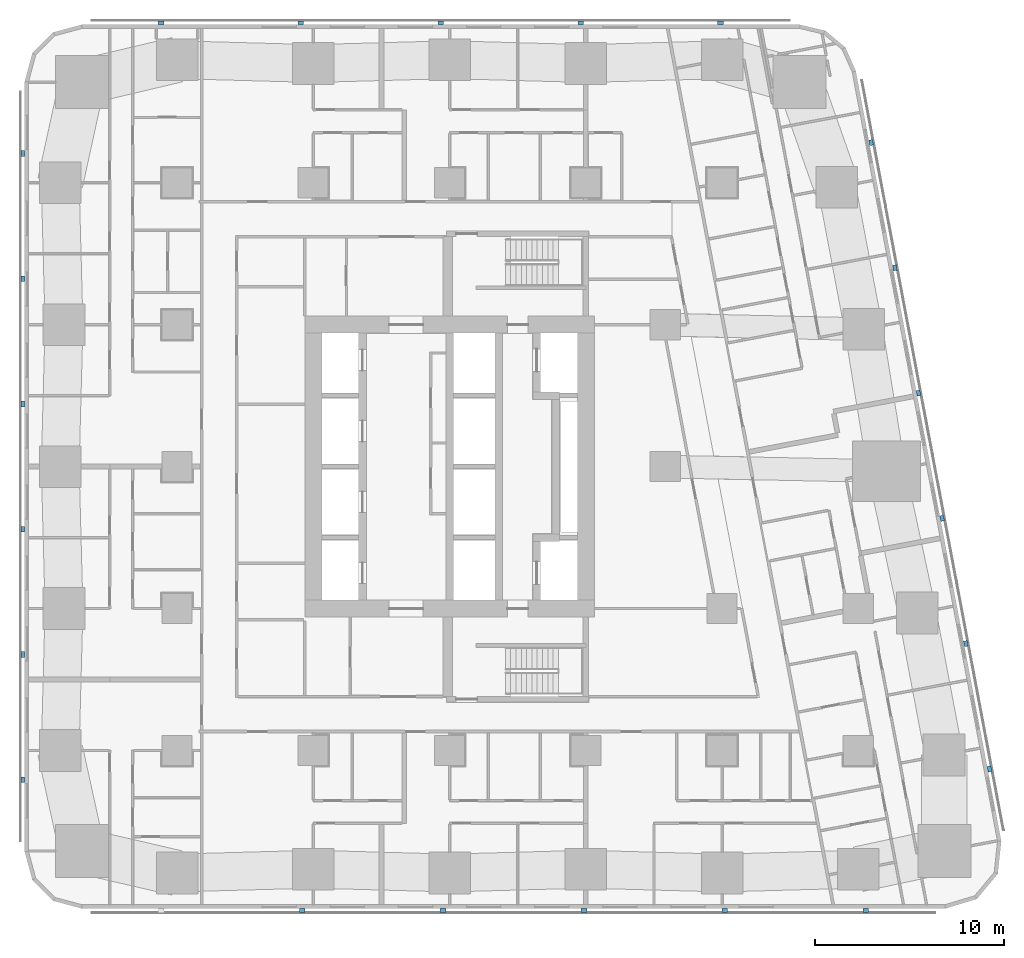
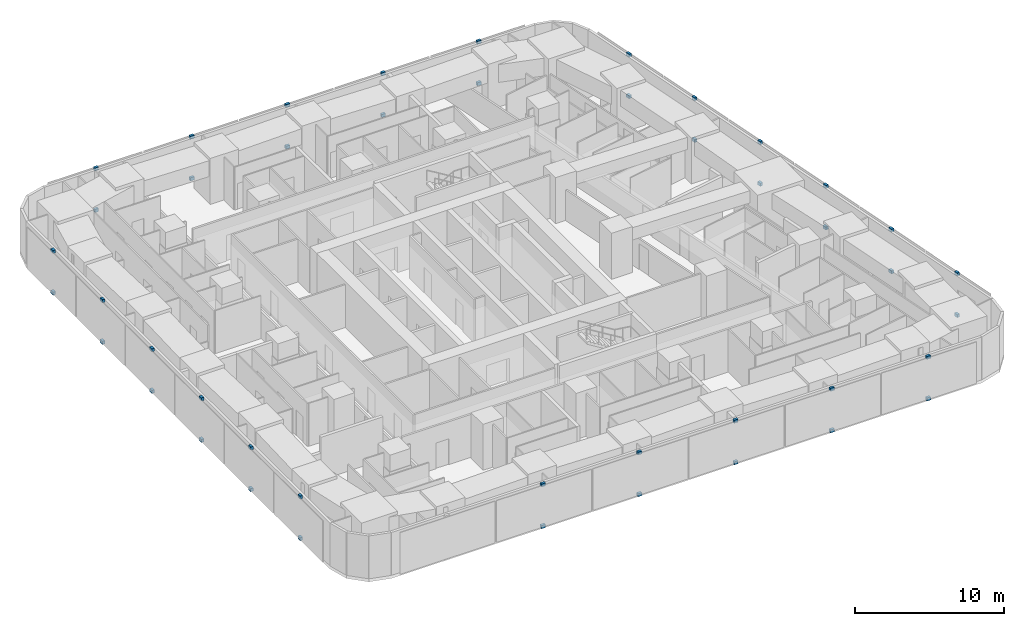
# One storey, part 13 of 17: 44 discrete accessories.
"""IFC4 building model written with IfcOpenShell, lengths in metres."""

from ifc_helpers import new_model, si_unit, direction, frame, origin, origin_2d, place, context, subcontext, project, spatial, rectangle, extrude, material, type_object, element, save


model = new_model("IFC4")

# Units and contexts
model_context = context("Model", 3, precision=1e-05, world=origin(), true_north=direction((0.0, 1.0)))
body_context = subcontext(model_context, "Body", "Model", "MODEL_VIEW")
ifc_project = project(units=[si_unit("LENGTHUNIT", "METRE"), si_unit("AREAUNIT", "SQUARE_METRE"), si_unit("VOLUMEUNIT", "CUBIC_METRE"), si_unit("PLANEANGLEUNIT", "RADIAN"), si_unit("MASSUNIT", "GRAM", prefix="KILO")], contexts=[model_context])

# Site, building, storey
site_placement = place(None, origin())
site = spatial("IfcSite", under=ifc_project, at=site_placement, CompositionType="ELEMENT")
building_placement = place(site_placement, origin())
building = spatial("IfcBuilding", under=site, at=building_placement, Name="Sheger Commons Tower", CompositionType="ELEMENT")
storey_placement = place(building_placement, frame((0.0, 0.0, 115.39990234375)))
storey = spatial("IfcBuildingStorey", under=building, at=storey_placement, Name="L29", CompositionType="ELEMENT", Elevation=115.39990234375)

# Discrete accessories
ifc_material = material(Name="Black painted steel bracket", Category="steel")
discrete_accessory_type = type_object("IfcDiscreteAccessoryType", Name="SCREEN BRACKET 300x200x250", PredefinedType="BRACKET", material=ifc_material)
for number, where, z_axis, x_axis, name in (
    (1, (13.81396484375, -0.949951171875, -0.099853515625), (0.0, 0.0, 1.0), (1.0, 0.0, 0.0), "Solar screen foot bracket"),
    (2, (13.81396484375, -0.949951171875, 3.300048828125), (0.0, 0.0, 1.0), (1.0, 0.0, 0.0), "Solar screen head bracket"),
    (3, (21.257080078125, -0.949951171875, -0.099853515625), (0.0, 0.0, 1.0), (1.0, 0.0, 0.0), "Solar screen foot bracket"),
    (4, (21.257080078125, -0.949951171875, 3.300048828125), (0.0, 0.0, 1.0), (1.0, 0.0, 0.0), "Solar screen head bracket"),
    (5, (28.698974609375, -0.949951171875, -0.099853515625), (0.0, 0.0, 1.0), (1.0, 0.0, 0.0), "Solar screen foot bracket"),
    (6, (28.698974609375, -0.949951171875, 3.300048828125), (0.0, 0.0, 1.0), (1.0, 0.0, 0.0), "Solar screen head bracket"),
    (7, (36.14208984375, -0.949951171875, -0.099853515625), (0.0, 0.0, 1.0), (1.0, 0.0, 0.0), "Solar screen foot bracket"),
    (8, (36.14208984375, -0.949951171875, 3.300048828125), (0.0, 0.0, 1.0), (1.0, 0.0, 0.0), "Solar screen head bracket"),
    (9, (43.5849609375, -0.949951171875, -0.099853515625), (0.0, 0.0, 1.0), (1.0, 0.0, 0.0), "Solar screen foot bracket"),
    (10, (43.5849609375, -0.949951171875, 3.300048828125), (0.0, 0.0, 1.0), (1.0, 0.0, 0.0), "Solar screen head bracket"),
    (11, (50.134033203125, 6.527099609375, -0.099853515625), (0.0, 0.0, 1.0), (-0.185615165645, 0.982622516678, 0.0), "Solar screen foot bracket"),
    (12, (50.134033203125, 6.527099609375, 3.300048828125), (0.0, 0.0, 1.0), (-0.185615165645, 0.982622516678, 0.0), "Solar screen head bracket"),
    (13, (48.884033203125, 13.14599609375, -0.099853515625), (0.0, 0.0, 1.0), (-0.185615165645, 0.982622516678, 0.0), "Solar screen foot bracket"),
    (14, (48.884033203125, 13.14599609375, 3.300048828125), (0.0, 0.0, 1.0), (-0.185615165645, 0.982622516678, 0.0), "Solar screen head bracket"),
    (15, (47.633056640625, 19.76611328125, -0.099853515625), (0.0, 0.0, 1.0), (-0.185615165645, 0.982622516678, 0.0), "Solar screen foot bracket"),
    (16, (47.633056640625, 19.76611328125, 3.300048828125), (0.0, 0.0, 1.0), (-0.185615165645, 0.982622516678, 0.0), "Solar screen head bracket"),
    (17, (46.383056640625, 26.385009765625, -0.099853515625), (0.0, 0.0, 1.0), (-0.185615165645, 0.982622516678, 0.0), "Solar screen foot bracket"),
    (18, (46.383056640625, 26.385009765625, 3.300048828125), (0.0, 0.0, 1.0), (-0.185615165645, 0.982622516678, 0.0), "Solar screen head bracket"),
    (19, (45.133056640625, 33.0048828125, -0.099853515625), (0.0, 0.0, 1.0), (-0.185615165645, 0.982622516678, 0.0), "Solar screen foot bracket"),
    (20, (45.133056640625, 33.0048828125, 3.300048828125), (0.0, 0.0, 1.0), (-0.185615165645, 0.982622516678, 0.0), "Solar screen head bracket"),
    (21, (43.882080078125, 39.6240234375, -0.099853515625), (0.0, 0.0, 1.0), (-0.185615165645, 0.982622516678, 0.0), "Solar screen foot bracket"),
    (22, (43.882080078125, 39.6240234375, 3.300048828125), (0.0, 0.0, 1.0), (-0.185615165645, 0.982622516678, 0.0), "Solar screen head bracket"),
    (23, (35.9208984375, 45.949951171875, -0.099853515625), (0.0, 0.0, 1.0), (-1.0, 0.0, 0.0), "Solar screen foot bracket"),
    (24, (35.9208984375, 45.949951171875, 3.300048828125), (0.0, 0.0, 1.0), (-1.0, 0.0, 0.0), "Solar screen head bracket"),
    (25, (28.528076171875, 45.949951171875, -0.099853515625), (0.0, 0.0, 1.0), (-1.0, 0.0, 0.0), "Solar screen foot bracket"),
    (26, (28.528076171875, 45.949951171875, 3.300048828125), (0.0, 0.0, 1.0), (-1.0, 0.0, 0.0), "Solar screen head bracket"),
    (27, (21.134033203125, 45.949951171875, -0.099853515625), (0.0, 0.0, 1.0), (-1.0, 0.0, 0.0), "Solar screen foot bracket"),
    (28, (21.134033203125, 45.949951171875, 3.300048828125), (0.0, 0.0, 1.0), (-1.0, 0.0, 0.0), "Solar screen head bracket"),
    (29, (13.739990234375, 45.949951171875, -0.099853515625), (0.0, 0.0, 1.0), (-1.0, 0.0, 0.0), "Solar screen foot bracket"),
    (30, (13.739990234375, 45.949951171875, 3.300048828125), (0.0, 0.0, 1.0), (-1.0, 0.0, 0.0), "Solar screen head bracket"),
    (31, (6.346923828125, 45.949951171875, -0.099853515625), (0.0, 0.0, 1.0), (-1.0, 0.0, 0.0), "Solar screen foot bracket"),
    (32, (6.346923828125, 45.949951171875, 3.300048828125), (0.0, 0.0, 1.0), (-1.0, 0.0, 0.0), "Solar screen head bracket"),
    (33, (-0.949951171875, 39.0419921875, -0.099853515625), (0.0, 0.0, 1.0), (0.0, -1.0, 0.0), "Solar screen foot bracket"),
    (34, (-0.949951171875, 39.0419921875, 3.300048828125), (0.0, 0.0, 1.0), (0.0, -1.0, 0.0), "Solar screen head bracket"),
    (35, (-0.949951171875, 32.425048828125, -0.099853515625), (0.0, 0.0, 1.0), (0.0, -1.0, 0.0), "Solar screen foot bracket"),
    (36, (-0.949951171875, 32.425048828125, 3.300048828125), (0.0, 0.0, 1.0), (0.0, -1.0, 0.0), "Solar screen head bracket"),
    (37, (-0.949951171875, 25.80810546875, -0.099853515625), (0.0, 0.0, 1.0), (0.0, -1.0, 0.0), "Solar screen foot bracket"),
    (38, (-0.949951171875, 25.80810546875, 3.300048828125), (0.0, 0.0, 1.0), (0.0, -1.0, 0.0), "Solar screen head bracket"),
    (39, (-0.949951171875, 19.19189453125, -0.099853515625), (0.0, 0.0, 1.0), (0.0, -1.0, 0.0), "Solar screen foot bracket"),
    (40, (-0.949951171875, 19.19189453125, 3.300048828125), (0.0, 0.0, 1.0), (0.0, -1.0, 0.0), "Solar screen head bracket"),
    (41, (-0.949951171875, 12.574951171875, -0.099853515625), (0.0, 0.0, 1.0), (0.0, -1.0, 0.0), "Solar screen foot bracket"),
    (42, (-0.949951171875, 12.574951171875, 3.300048828125), (0.0, 0.0, 1.0), (0.0, -1.0, 0.0), "Solar screen head bracket"),
    (43, (-0.949951171875, 5.9580078125, -0.099853515625), (0.0, 0.0, 1.0), (0.0, -1.0, 0.0), "Solar screen foot bracket"),
    (44, (-0.949951171875, 5.9580078125, 3.300048828125), (0.0, 0.0, 1.0), (0.0, -1.0, 0.0), "Solar screen head bracket"),
):
    element("IfcDiscreteAccessory", number, at=place(storey_placement, frame(where, z_axis=z_axis, x_axis=x_axis)), inside=storey, type_object=discrete_accessory_type, Name=name, PredefinedType="BRACKET", context=body_context, shape_type="SweptSolid", body=[
        extrude(rectangle(XDim=0.300048828125, YDim=0.199951171875, at=origin_2d()), origin(), (0.0, 0.0, 1.0), 0.25),
    ])

save(model, "model.ifc")
